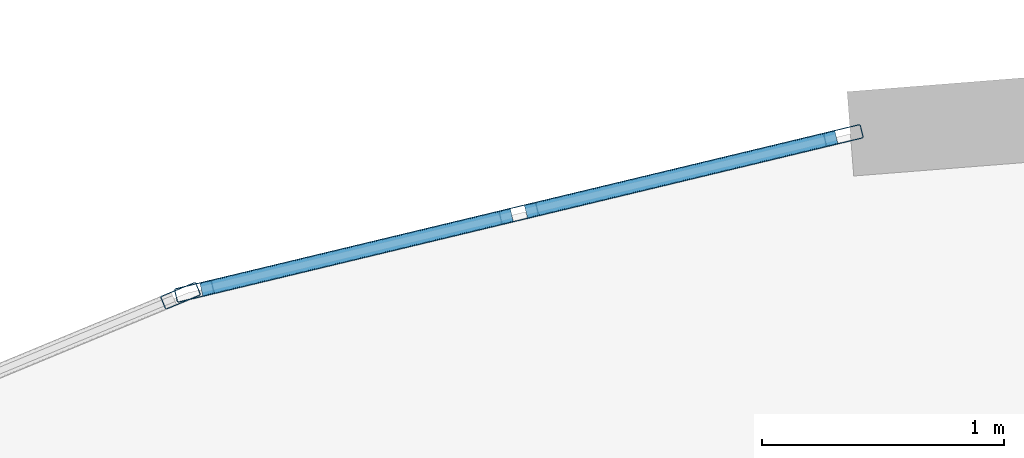
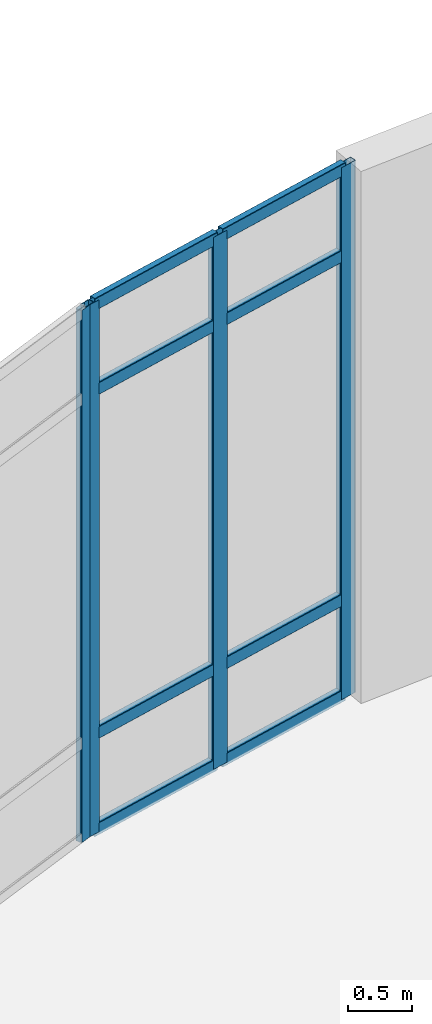
# One storey, part 47 of 114: 12 members, 2 elements without a shape of their own.
"""IFC4 building model written with IfcOpenShell, lengths in metres."""

import ifcopenshell
import ifcopenshell.guid

model = None  # the IFC model being written
_history = None  # IfcOwnerHistory: only IFC2X3 demands one
_inside = {}  # id of a spatial element -> (the spatial element, [elements in it])
_under = {}  # id of a project, library or spatial element -> (it, [spatial elements below it])
_declared = {}  # id of a project -> (the project, [libraries it declares])
_typed = {}  # id of a type object -> (the type object, [elements of that type])
_made_of = {}  # id of a material, layer set ... -> (it, [elements and type objects made of it])


def new_model(schema):
    """Start an empty IFC model of exactly this schema.

    Asked for "IFC4X3", IfcOpenShell would pick the latest addendum, in which some entities
    have other attributes; the version numbers below select the first issue.
    IFC2X3 requires an IfcOwnerHistory on every rooted entity: one is made here for all.
    """
    global model, _history
    if schema == "IFC4X3":
        model = ifcopenshell.file(schema_version=(4, 3, 0, 0))
    else:
        model = ifcopenshell.file(schema=schema)
    _inside.clear()
    _under.clear()
    _declared.clear()
    _typed.clear()
    _made_of.clear()
    _history = None
    if model.schema == "IFC2X3":
        org = make("IfcOrganization", Name="unknown")
        user = make(
            "IfcPersonAndOrganization",
            ThePerson=make("IfcPerson", FamilyName="unknown"),
            TheOrganization=org,
        )
        app = make(
            "IfcApplication",
            ApplicationDeveloper=org,
            Version="unknown",
            ApplicationFullName="unknown",
            ApplicationIdentifier="unknown",
        )
        _history = make(
            "IfcOwnerHistory",
            OwningUser=user,
            OwningApplication=app,
            ChangeAction="ADDED",
            CreationDate=0,
        )
    return model


def make(cls, **values):
    """One entity of the class cls with the attributes given. An attribute that is None is left unset."""
    return model.create_entity(
        cls, **{name: value for name, value in values.items() if value is not None}
    )


def rooted(cls, **values):
    """An entity with a GlobalId (a new one), such as an element, a storey or a relation."""
    return make(cls, GlobalId=ifcopenshell.guid.new(), OwnerHistory=_history, **values)


def si_unit(unit_type, name, prefix=None):
    """IfcSIUnit, for example si_unit("LENGTHUNIT", "METRE", prefix="MILLI")."""
    return make("IfcSIUnit", UnitType=unit_type, Prefix=prefix, Name=name)


def derived_unit(unit_type, elements):
    """IfcDerivedUnit: a product of units, each with its exponent."""
    return make(
        "IfcDerivedUnit",
        Elements=[
            make("IfcDerivedUnitElement", Unit=unit, Exponent=power)
            for unit, power in elements
        ],
        UnitType=unit_type,
    )


def assignment(units):
    """IfcUnitAssignment: the units of a project."""
    return None if units is None else make("IfcUnitAssignment", Units=units)


def point(xyz):
    """IfcCartesianPoint."""
    return None if xyz is None else make("IfcCartesianPoint", Coordinates=xyz)


def direction(xyz):
    """IfcDirection."""
    return None if xyz is None else make("IfcDirection", DirectionRatios=xyz)


def frame(location, z_axis=None, x_axis=None):
    """IfcAxis2Placement3D, a coordinate frame: its origin and axes. An axis left out is left unset."""
    return make(
        "IfcAxis2Placement3D",
        Location=point(location),
        Axis=direction(z_axis),
        RefDirection=direction(x_axis),
    )


def frame_2d(location, x_axis=None):
    """IfcAxis2Placement2D, a coordinate frame in the plane: its origin and x axis."""
    return make(
        "IfcAxis2Placement2D", Location=point(location), RefDirection=direction(x_axis)
    )


def origin():
    """The frame at (0, 0, 0) with its axes left unset."""
    return frame((0.0, 0.0, 0.0))


def origin_2d():
    """The frame at (0, 0) in the plane with its x axis left unset."""
    return frame_2d((0.0, 0.0))


def place(relative_to, where):
    """IfcLocalPlacement: puts the frame where relative to a parent placement (None: the world)."""
    return make(
        "IfcLocalPlacement", PlacementRelTo=relative_to, RelativePlacement=where
    )


def context(
    kind, dimensions, precision=None, world=None, true_north=None, identifier=None
):
    """IfcGeometricRepresentationContext, for example the 3D "Model" context."""
    return make(
        "IfcGeometricRepresentationContext",
        ContextIdentifier=identifier,
        ContextType=kind,
        CoordinateSpaceDimension=dimensions,
        Precision=precision,
        WorldCoordinateSystem=world,
        TrueNorth=true_north,
    )


def subcontext(parent, identifier, kind, view, scale=None):
    """IfcGeometricRepresentationSubContext, for example "Body" below "Model"."""
    return make(
        "IfcGeometricRepresentationSubContext",
        ContextIdentifier=identifier,
        ContextType=kind,
        ParentContext=parent,
        TargetScale=scale,
        TargetView=view,
    )


def project(units=None, contexts=None):
    """IfcProject with its units and contexts."""
    return rooted(
        "IfcProject",
        Name="project",
        RepresentationContexts=contexts,
        UnitsInContext=assignment(units),
    )


def spatial(cls, under=None, at=None, **own):
    """A site, building, storey or space (cls), placed at a placement, below another one or the project."""
    s = rooted(cls, ObjectPlacement=at, **own)
    if under is not None:
        _under.setdefault(under.id(), (under, []))[1].append(s)
    return s


def profile(cls, at=None, kind="AREA", **sizes):
    """A parametric profile (cls). Its sizes go by their IFC names, for example OverallWidth=200.0."""
    return make(cls, ProfileType=kind, Position=at, **sizes)


def hollow_rectangle(**sizes):
    """IfcRectangleHollowProfileDef."""
    return profile("IfcRectangleHollowProfileDef", **sizes)


def extrude(swept, where, along, depth):
    """IfcExtrudedAreaSolid: the profile swept, set in the frame where, extruded along a direction by depth."""
    return make(
        "IfcExtrudedAreaSolid",
        SweptArea=swept,
        Position=where,
        ExtrudedDirection=direction(along),
        Depth=depth,
    )


def shape(context_of_items, identifier, shape_type, items):
    """IfcShapeRepresentation: the items that make up one representation, for example the "Body"."""
    return make(
        "IfcShapeRepresentation",
        ContextOfItems=context_of_items,
        RepresentationIdentifier=identifier,
        RepresentationType=shape_type,
        Items=items,
    )


def material(Name=None, Category=None):
    """IfcMaterial."""
    return make("IfcMaterial", Name=Name, Category=Category)


def layer(
    of_material, thickness, ventilated=None, Name=None, Category=None, Priority=None
):
    """IfcMaterialLayer: one layer of a wall or slab, of a material (None: an air gap)."""
    return make(
        "IfcMaterialLayer",
        Material=of_material,
        LayerThickness=thickness,
        IsVentilated=ventilated,
        Name=Name,
        Category=Category,
        Priority=Priority,
    )


def layer_set(layers, Name=None):
    """IfcMaterialLayerSet."""
    return make("IfcMaterialLayerSet", MaterialLayers=layers, LayerSetName=Name)


def material_profile(
    of_material, cross_section, Name=None, Category=None, Priority=None
):
    """IfcMaterialProfile: a cross section and its material."""
    return make(
        "IfcMaterialProfile",
        Name=Name,
        Material=of_material,
        Profile=cross_section,
        Priority=Priority,
        Category=Category,
    )


def profile_set(profiles, Name=None, composite=None):
    """IfcMaterialProfileSet."""
    return make(
        "IfcMaterialProfileSet",
        Name=Name,
        MaterialProfiles=profiles,
        CompositeProfile=composite,
    )


def made_of(thing, what):
    """Note that an element or type object is made of a material, layer set ...; save() writes the relation."""
    if what is not None:
        _made_of.setdefault(what.id(), (what, []))[1].append(thing)
    return thing


def type_object(cls, material=None, **own):
    """A type object (cls), such as IfcWallType, which elements share."""
    return made_of(rooted(cls, **own), material)


def element(
    cls,
    number,
    at=None,
    inside=None,
    cuts=None,
    type_object=None,
    material=None,
    context=None,
    identifier="Body",
    shape_type=None,
    held_by="IfcProductDefinitionShape",
    body=None,
    shapes=None,
    **own,
):
    """One element of the class cls, such as IfcWall. Its Tag is "e" and its number.

    at: its placement. inside: the storey or other place that contains it. cuts: it is an
    opening in that element (IfcRelVoidsElement). A single representation is given by context,
    identifier, shape_type and body (its items); several are given by shapes. held_by: the class
    of the entity that holds the representations. save() writes the other relations.
    """
    e = rooted(cls, Tag="e%d" % number, ObjectPlacement=at, **own)
    if body is not None:
        shapes = [shape(context, identifier, shape_type, body)]
    if shapes is not None:
        e.Representation = make(held_by, Representations=shapes)
    if inside is not None:
        _inside.setdefault(inside.id(), (inside, []))[1].append(e)
    if cuts is not None:
        rooted(
            "IfcRelVoidsElement", RelatingBuildingElement=cuts, RelatedOpeningElement=e
        )
    if type_object is not None:
        _typed.setdefault(type_object.id(), (type_object, []))[1].append(e)
    return made_of(e, material)


def aggregate(whole, parts):
    """IfcRelAggregates: a whole, such as a stair, and the parts it consists of."""
    return rooted("IfcRelAggregates", RelatingObject=whole, RelatedObjects=parts)


def save(model, path):
    """Write the relations noted so far, then the file.

    IfcRelAggregates (storeys below a building ...), IfcRelContainedInSpatialStructure (elements
    in a storey), IfcRelDefinesByType, IfcRelAssociatesMaterial and IfcRelDeclares: one each for
    every whole, place, type object, material and project.
    """
    for whole, parts in _under.values():
        aggregate(whole, parts)
    for where, things in _inside.values():
        rooted(
            "IfcRelContainedInSpatialStructure",
            RelatedElements=things,
            RelatingStructure=where,
        )
    for kind, things in _typed.values():
        rooted("IfcRelDefinesByType", RelatedObjects=things, RelatingType=kind)
    for what, things in _made_of.values():
        rooted("IfcRelAssociatesMaterial", RelatedObjects=things, RelatingMaterial=what)
    for by, libraries in _declared.values():
        rooted("IfcRelDeclares", RelatingContext=by, RelatedDefinitions=libraries)
    model.write(path)


model = new_model("IFC4")

# Units and contexts
model_context = context("Model", 3, precision=1e-05, world=origin(), true_north=direction((0.0, 1.0)))
body_context = subcontext(model_context, "Body", "Model", "MODEL_VIEW")
ifc_project = project(units=[si_unit("LENGTHUNIT", "METRE"), si_unit("AREAUNIT", "SQUARE_METRE"), si_unit("VOLUMEUNIT", "CUBIC_METRE"), si_unit("PLANEANGLEUNIT", "RADIAN"), si_unit("MASSUNIT", "GRAM", prefix="KILO"), derived_unit("THERMALTRANSMITTANCEUNIT", [(si_unit("MASSUNIT", "GRAM", prefix="KILO"), 1), (si_unit("TIMEUNIT", "SECOND"), -3), (si_unit("THERMODYNAMICTEMPERATUREUNIT", "KELVIN"), -1)])], contexts=[model_context])

# Site, building, storey
site_placement = place(None, origin())
site = spatial("IfcSite", under=ifc_project, at=site_placement, CompositionType="ELEMENT")
building_placement = place(site_placement, origin())
building = spatial("IfcBuilding", under=site, at=building_placement, Name="Qinzheling Arcade Emporium", CompositionType="ELEMENT")
storey_placement = place(building_placement, frame((0.0, 0.0, 6.0)))
storey = spatial("IfcBuildingStorey", under=building, at=storey_placement, Name="L02", CompositionType="ELEMENT", Elevation=6.0)

# Curtain wall, member
ifc_material_1 = material(Name="Anodised aluminium and solar-control double glazing", Category="aluminium")
ifc_layer = layer(ifc_material_1, 0.159912109375, Name="Anodised aluminium and solar-control double glazing", Category="aluminium")
ifc_layer_set = layer_set([ifc_layer], Name="Anodised aluminium and solar-control double glazing")
curtain_wall_type = type_object("IfcCurtainWallType", Name="Curved Ribbon Sales Curtain Wall", PredefinedType="NOTDEFINED", material=ifc_layer_set)
curtain_wall_1_placement = place(storey_placement, origin())
curtain_wall_1 = element("IfcCurtainWall", 1, at=curtain_wall_1_placement, inside=storey, type_object=curtain_wall_type, Name="Curtain Wall CW-L02-100", PredefinedType="NOTDEFINED")
ifc_material_2 = material(Name="Anodised aluminium 6063-T6", Category="aluminium")
ifc_material_profile_1 = material_profile(ifc_material_2, hollow_rectangle(XDim=0.06005859375, YDim=0.159912109375, WallThickness=0.00390625, InnerFilletRadius=0.00390625, OuterFilletRadius=0.008056640625, at=origin_2d()), Name="RHS 160x60x4", Category="aluminium")
ifc_profile_set_1 = profile_set([ifc_material_profile_1], Name="Anodised aluminium 6063-T6")
member_type_1 = type_object("IfcMemberType", Name="Curtain Wall Mullion RHS160x60", PredefinedType="MULLION", material=ifc_profile_set_1)
member_1_placement = place(storey_placement, frame((64.6103515625, 113.70751953125, 0.0), z_axis=(0.0, 0.0, 1.0), x_axis=(-0.382654004198, 0.923891721508, 0.0)))
member_1 = element("IfcMember", 2, at=member_1_placement, type_object=member_type_1, Name="CW02 mullion 3", PredefinedType="MULLION", context=body_context, shape_type="SweptSolid", body=[
    extrude(hollow_rectangle(XDim=0.06005859375, YDim=0.159912109375, WallThickness=0.00390625, InnerFilletRadius=0.00390625, OuterFilletRadius=0.008056640625, at=origin_2d()), origin(), (0.0, 0.0, 1.0), 5.090087890625),
])
aggregate(curtain_wall_1, [member_1])

# Curtain wall, members
curtain_wall_2_placement = place(storey_placement, origin())
curtain_wall_2 = element("IfcCurtainWall", 3, at=curtain_wall_2_placement, inside=storey, type_object=curtain_wall_type, Name="Curtain Wall CW-L02-101", PredefinedType="NOTDEFINED")
member_2_placement = place(storey_placement, frame((64.667236328125, 113.72607421875, 0.0), z_axis=(0.0, 0.0, 1.0), x_axis=(-0.233359559423, 0.972390516216, 0.0)))
member_2 = element("IfcMember", 4, at=member_2_placement, type_object=member_type_1, Name="CW02 mullion 1", PredefinedType="MULLION", context=body_context, shape_type="SweptSolid", body=[
    extrude(hollow_rectangle(XDim=0.06005859375, YDim=0.159912109375, WallThickness=0.00390625, InnerFilletRadius=0.00390625, OuterFilletRadius=0.008056640625, at=origin_2d()), origin(), (0.0, 0.0, 1.0), 5.090087890625),
])
member_3_placement = place(storey_placement, frame((66.010986328125, 114.048583984375, 0.0), z_axis=(0.0, 0.0, 1.0), x_axis=(-0.233359559423, 0.972390516216, 0.0)))
member_3 = element("IfcMember", 5, at=member_3_placement, type_object=member_type_1, Name="CW02 mullion 2", PredefinedType="MULLION", context=body_context, shape_type="SweptSolid", body=[
    extrude(hollow_rectangle(XDim=0.06005859375, YDim=0.159912109375, WallThickness=0.00390625, InnerFilletRadius=0.00390625, OuterFilletRadius=0.008056640625, at=origin_2d()), origin(), (0.0, 0.0, 1.0), 5.090087890625),
])
member_4_placement = place(storey_placement, frame((67.354736328125, 114.37109375, 0.0), z_axis=(0.0, 0.0, 1.0), x_axis=(-0.233359559423, 0.972390516216, 0.0)))
member_4 = element("IfcMember", 6, at=member_4_placement, type_object=member_type_1, Name="CW02 mullion 3", PredefinedType="MULLION", context=body_context, shape_type="SweptSolid", body=[
    extrude(hollow_rectangle(XDim=0.06005859375, YDim=0.159912109375, WallThickness=0.00390625, InnerFilletRadius=0.00390625, OuterFilletRadius=0.008056640625, at=origin_2d()), origin(), (0.0, 0.0, 1.0), 5.090087890625),
])
ifc_material_profile_2 = material_profile(ifc_material_2, hollow_rectangle(XDim=0.06005859375, YDim=0.1201171875, WallThickness=0.00390625, InnerFilletRadius=0.00390625, OuterFilletRadius=0.008056640625, at=origin_2d()), Name="RHS 120x60x4", Category="aluminium")
ifc_profile_set_2 = profile_set([ifc_material_profile_2], Name="Anodised aluminium 6063-T6")
member_type_2 = type_object("IfcMemberType", Name="Curtain Wall Transom RHS120x60", PredefinedType="USERDEFINED", material=ifc_profile_set_2)
member_5_placement = place(storey_placement, frame((64.6962890625, 113.73291015625, 0.030029296875), z_axis=(0.972380597098, 0.23340088772, 0.0), x_axis=(-0.23340088772, 0.972380597098, 0.0)))
member_5 = element("IfcMember", 7, at=member_5_placement, type_object=member_type_2, Name="CW02 transom 1.1", ObjectType="TRANSOM", PredefinedType="USERDEFINED", context=body_context, shape_type="SweptSolid", body=[
    extrude(hollow_rectangle(XDim=0.06005859375, YDim=0.1201171875, WallThickness=0.00390625, InnerFilletRadius=0.00390625, OuterFilletRadius=0.008056640625, at=origin_2d()), origin(), (0.0, 0.0, 1.0), 1.322265625),
])
member_6_placement = place(storey_placement, frame((64.6962890625, 113.73291015625, 0.949951171875), z_axis=(0.972380597098, 0.23340088772, 0.0), x_axis=(-0.23340088772, 0.972380597098, 0.0)))
member_6 = element("IfcMember", 8, at=member_6_placement, type_object=member_type_2, Name="CW02 transom 1.2", ObjectType="TRANSOM", PredefinedType="USERDEFINED", context=body_context, shape_type="SweptSolid", body=[
    extrude(hollow_rectangle(XDim=0.06005859375, YDim=0.1201171875, WallThickness=0.00390625, InnerFilletRadius=0.00390625, OuterFilletRadius=0.008056640625, at=origin_2d()), origin(), (0.0, 0.0, 1.0), 1.322265625),
])
member_7_placement = place(storey_placement, frame((64.6962890625, 113.73291015625, 4.239990234375), z_axis=(0.972380597098, 0.23340088772, 0.0), x_axis=(-0.23340088772, 0.972380597098, 0.0)))
member_7 = element("IfcMember", 9, at=member_7_placement, type_object=member_type_2, Name="CW02 transom 1.3", ObjectType="TRANSOM", PredefinedType="USERDEFINED", context=body_context, shape_type="SweptSolid", body=[
    extrude(hollow_rectangle(XDim=0.06005859375, YDim=0.1201171875, WallThickness=0.00390625, InnerFilletRadius=0.00390625, OuterFilletRadius=0.008056640625, at=origin_2d()), origin(), (0.0, 0.0, 1.0), 1.322265625),
])
member_8_placement = place(storey_placement, frame((64.6962890625, 113.73291015625, 5.06005859375), z_axis=(0.972380597098, 0.23340088772, 0.0), x_axis=(-0.23340088772, 0.972380597098, 0.0)))
member_8 = element("IfcMember", 10, at=member_8_placement, type_object=member_type_2, Name="CW02 transom 1.4", ObjectType="TRANSOM", PredefinedType="USERDEFINED", context=body_context, shape_type="SweptSolid", body=[
    extrude(hollow_rectangle(XDim=0.06005859375, YDim=0.1201171875, WallThickness=0.00390625, InnerFilletRadius=0.00390625, OuterFilletRadius=0.008056640625, at=origin_2d()), origin(), (0.0, 0.0, 1.0), 1.322265625),
])
member_9_placement = place(storey_placement, frame((66.040283203125, 114.055419921875, 0.030029296875), z_axis=(0.972370535257, 0.233442802766, 0.0), x_axis=(-0.233442802766, 0.972370535257, 0.0)))
member_9 = element("IfcMember", 11, at=member_9_placement, type_object=member_type_2, Name="CW02 transom 2.1", ObjectType="TRANSOM", PredefinedType="USERDEFINED", context=body_context, shape_type="SweptSolid", body=[
    extrude(hollow_rectangle(XDim=0.06005859375, YDim=0.1201171875, WallThickness=0.00390625, InnerFilletRadius=0.00390625, OuterFilletRadius=0.008056640625, at=origin_2d()), origin(), (0.0, 0.0, 1.0), 1.322021484375),
])
member_10_placement = place(storey_placement, frame((66.040283203125, 114.055419921875, 0.949951171875), z_axis=(0.972370535257, 0.233442802766, 0.0), x_axis=(-0.233442802766, 0.972370535257, 0.0)))
member_10 = element("IfcMember", 12, at=member_10_placement, type_object=member_type_2, Name="CW02 transom 2.2", ObjectType="TRANSOM", PredefinedType="USERDEFINED", context=body_context, shape_type="SweptSolid", body=[
    extrude(hollow_rectangle(XDim=0.06005859375, YDim=0.1201171875, WallThickness=0.00390625, InnerFilletRadius=0.00390625, OuterFilletRadius=0.008056640625, at=origin_2d()), origin(), (0.0, 0.0, 1.0), 1.322021484375),
])
member_11_placement = place(storey_placement, frame((66.040283203125, 114.055419921875, 4.239990234375), z_axis=(0.972370535257, 0.233442802766, 0.0), x_axis=(-0.233442802766, 0.972370535257, 0.0)))
member_11 = element("IfcMember", 13, at=member_11_placement, type_object=member_type_2, Name="CW02 transom 2.3", ObjectType="TRANSOM", PredefinedType="USERDEFINED", context=body_context, shape_type="SweptSolid", body=[
    extrude(hollow_rectangle(XDim=0.06005859375, YDim=0.1201171875, WallThickness=0.00390625, InnerFilletRadius=0.00390625, OuterFilletRadius=0.008056640625, at=origin_2d()), origin(), (0.0, 0.0, 1.0), 1.322021484375),
])
member_12_placement = place(storey_placement, frame((66.040283203125, 114.055419921875, 5.06005859375), z_axis=(0.972370535257, 0.233442802766, 0.0), x_axis=(-0.233442802766, 0.972370535257, 0.0)))
member_12 = element("IfcMember", 14, at=member_12_placement, type_object=member_type_2, Name="CW02 transom 2.4", ObjectType="TRANSOM", PredefinedType="USERDEFINED", context=body_context, shape_type="SweptSolid", body=[
    extrude(hollow_rectangle(XDim=0.06005859375, YDim=0.1201171875, WallThickness=0.00390625, InnerFilletRadius=0.00390625, OuterFilletRadius=0.008056640625, at=origin_2d()), origin(), (0.0, 0.0, 1.0), 1.322021484375),
])
aggregate(curtain_wall_2, [member_2, member_3, member_4, member_5, member_6, member_7, member_8, member_9, member_10, member_11, member_12])

save(model, "model.ifc")
